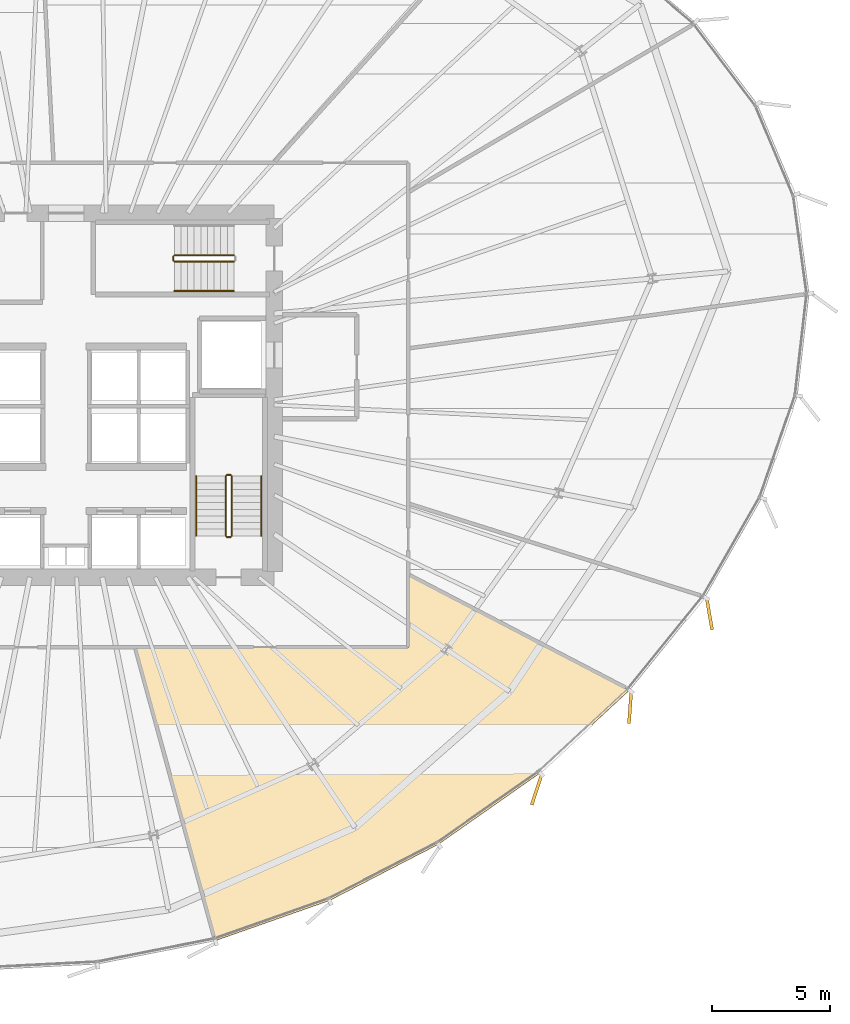
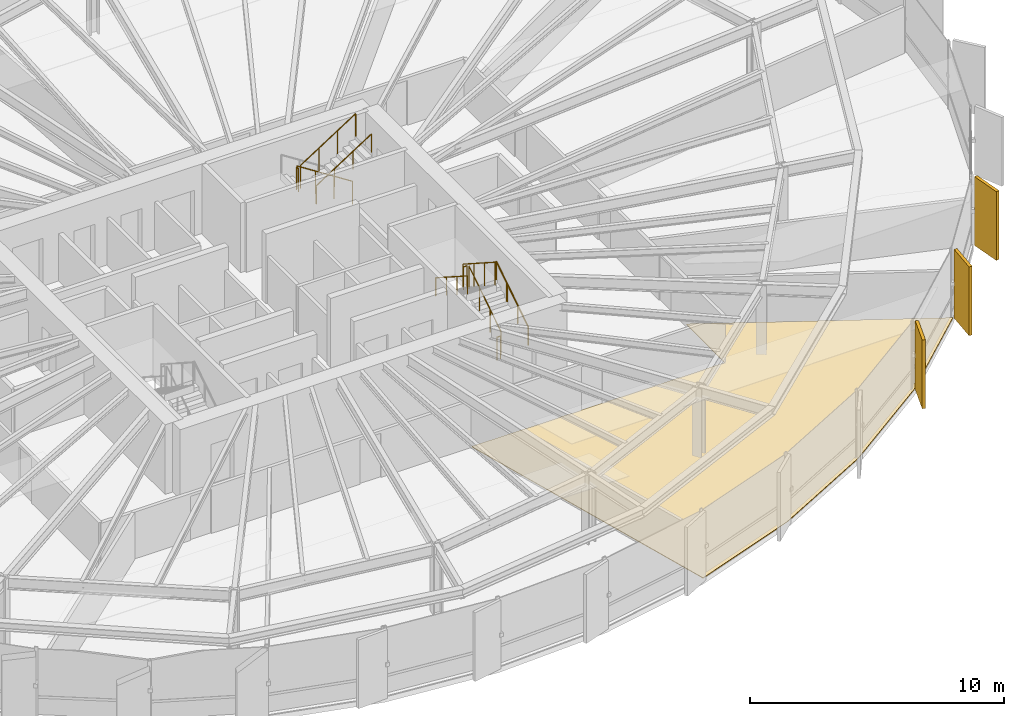
# One storey, part 33 of 35: 10 railings, 4 coverings.
"""IFC4 building model written with IfcOpenShell, lengths in metres."""

from ifc_helpers import new_model, si_unit, direction, frame, origin, origin_2d, place, context, subcontext, project, spatial, polyline, rectangle, circle, outline, extrude, source, transform, mapped, material, layer, layer_set, type_object, element, save


model = new_model("IFC4")

# Units and contexts
model_context = context("Model", 3, precision=1e-05, world=origin(), true_north=direction((0.0, 1.0)))
body_context = subcontext(model_context, "Body", "Model", "MODEL_VIEW")
ifc_project = project(units=[si_unit("LENGTHUNIT", "METRE"), si_unit("AREAUNIT", "SQUARE_METRE"), si_unit("VOLUMEUNIT", "CUBIC_METRE"), si_unit("PLANEANGLEUNIT", "RADIAN"), si_unit("MASSUNIT", "GRAM", prefix="KILO"), si_unit("THERMODYNAMICTEMPERATUREUNIT", "KELVIN")], contexts=[model_context])

# Site, building, storey
site_placement = place(None, origin())
site = spatial("IfcSite", under=ifc_project, at=site_placement, CompositionType="ELEMENT")
building_placement = place(site_placement, origin())
building = spatial("IfcBuilding", under=site, at=building_placement, Name="Kethvar Cultural Tower", CompositionType="ELEMENT")
storey_placement = place(building_placement, frame((0.0, 0.0, 96.39990234375)))
storey = spatial("IfcBuildingStorey", under=building, at=storey_placement, Name="L23", CompositionType="ELEMENT", Elevation=96.39990234375)

# Covering
ifc_material_1 = material(Name="Honed Warm Limestone", Category="masonry")
ifc_layer_1 = layer(ifc_material_1, 0.030029296875, Name="Honed Warm Limestone", Category="masonry")
ifc_layer_set_1 = layer_set([ifc_layer_1], Name="Honed Warm Limestone (30 mm)")
covering_type_1 = type_object("IfcCoveringType", Name="CV-STONE-FLOOR", PredefinedType="FLOORING", material=ifc_layer_set_1)
covering_placement = place(storey_placement, origin())
element("IfcCovering", 1, at=covering_placement, inside=storey, type_object=covering_type_1, Name="L23 Room 03 Floor Finish", PredefinedType="FLOORING", context=body_context, shape_type="SweptSolid", body=[
    extrude(outline(polyline([(66.822265625, 11.799072265625), (62.546630859375, 8.8017578125), (57.93994140625, 6.422119140625), (53.131591796875, 4.731201171875), (49.742431640625, 17.1201171875), (61.27587890625, 17.120849609375), (61.2900390625, 20.185302734375), (70.608642578125, 15.302490234375), (66.822265625, 11.799072265625)])), origin(), (0.0, 0.0, 1.0), 0.030029296875),
])

# Railings
ifc_material_2 = material(Name="Steel S355J2", Category="steel")
railing_type_1 = type_object("IfcRailingType", Name="RL-STAIR-GUARD", PredefinedType="BALUSTRADE", material=ifc_material_2)
railing_1_placement = place(storey_placement, frame((53.81005859375, 21.85009765625, 0.18017578125)))
element("IfcRailing", 2, at=railing_1_placement, inside=storey, type_object=railing_type_1, Name="L23 ST-02 stair guard 1", PredefinedType="BALUSTRADE", context=body_context, shape_type="SweptSolid", body=[
    extrude(circle(Radius=0.02392578125, at=origin_2d()), frame((0.0, 0.0, 1.09619140625), z_axis=(0.0, 0.841199657755, 0.540724639528), x_axis=(-1.0, 0.0, 0.0)), (0.0, 0.0, 1.0), 2.995849609375),
    extrude(circle(Radius=0.02099609375, at=origin_2d()), origin(), (0.0, 0.0, 1.0), 1.072021484375),
    extrude(circle(Radius=0.02099609375, at=origin_2d()), frame((0.0, 0.840087890625, 0.5400390625)), (0.0, 0.0, 1.0), 1.072021484375),
    extrude(circle(Radius=0.02099609375, at=origin_2d()), frame((0.0, 1.679931640625, 1.079833984375)), (0.0, 0.0, 1.0), 1.072021484375),
    extrude(circle(Radius=0.02099609375, at=origin_2d()), frame((0.0, 2.52001953125, 1.619873046875)), (0.0, 0.0, 1.0), 1.072021484375),
])
railing_2_placement = place(storey_placement, frame((53.760009765625, 24.419921875, 1.800048828125)))
element("IfcRailing", 3, at=railing_2_placement, inside=storey, type_object=railing_type_1, Name="L23 ST-02 stair guard 2", PredefinedType="BALUSTRADE", context=body_context, shape_type="SweptSolid", body=[
    extrude(circle(Radius=0.02392578125, at=origin_2d()), frame((0.0, 0.0, 1.09619140625), z_axis=(-1.0, 0.0, 0.0), x_axis=(0.0, -1.0, 0.0)), (0.0, 0.0, 1.0), 0.159912109375),
    extrude(circle(Radius=0.02099609375, at=origin_2d()), origin(), (0.0, 0.0, 1.0), 1.072021484375),
    extrude(circle(Radius=0.02099609375, at=origin_2d()), frame((-0.159912109375, 0.0, 0.0)), (0.0, 0.0, 1.0), 1.072021484375),
])
railing_3_placement = place(storey_placement, frame((53.550048828125, 24.3701171875, 1.97998046875)))
element("IfcRailing", 4, at=railing_3_placement, inside=storey, type_object=railing_type_1, Name="L23 ST-02 stair guard 3", PredefinedType="BALUSTRADE", context=body_context, shape_type="SweptSolid", body=[
    extrude(circle(Radius=0.02392578125, at=origin_2d()), frame((0.0, 0.0, 1.09619140625), z_axis=(0.0, -0.841162588446, 0.540782303519), x_axis=(1.0, 0.0, 0.0)), (0.0, 0.0, 1.0), 2.995849609375),
    extrude(circle(Radius=0.02099609375, at=origin_2d()), origin(), (0.0, 0.0, 1.0), 1.072021484375),
    extrude(circle(Radius=0.02099609375, at=origin_2d()), frame((0.0, -0.840087890625, 0.5400390625)), (0.0, 0.0, 1.0), 1.072021484375),
    extrude(circle(Radius=0.02099609375, at=origin_2d()), frame((0.0, -1.679931640625, 1.080078125)), (0.0, 0.0, 1.0), 1.072021484375),
    extrude(circle(Radius=0.02099609375, at=origin_2d()), frame((0.0, -2.52001953125, 1.6201171875)), (0.0, 0.0, 1.0), 1.072021484375),
])
railing_4_placement = place(storey_placement, frame((53.760009765625, 21.800048828125, 0.0)))
element("IfcRailing", 5, at=railing_4_placement, inside=storey, type_object=railing_type_1, Name="L23 ST-02 stair guard 4", PredefinedType="BALUSTRADE", context=body_context, shape_type="SweptSolid", body=[
    extrude(circle(Radius=0.02392578125, at=origin_2d()), frame((0.0, 0.0, 1.09619140625), z_axis=(-1.0, 0.0, 0.0), x_axis=(0.0, -1.0, 0.0)), (0.0, 0.0, 1.0), 0.159912109375),
    extrude(circle(Radius=0.02099609375, at=origin_2d()), origin(), (0.0, 0.0, 1.0), 1.072021484375),
    extrude(circle(Radius=0.02099609375, at=origin_2d()), frame((-0.159912109375, 0.0, 0.0)), (0.0, 0.0, 1.0), 1.072021484375),
])
railing_5_placement = place(storey_placement, frame((53.89990234375, 33.7099609375, 0.18017578125)))
element("IfcRailing", 6, at=railing_5_placement, inside=storey, type_object=railing_type_1, Name="L23 ST-03 stair guard 1", PredefinedType="BALUSTRADE", context=body_context, shape_type="SweptSolid", body=[
    extrude(circle(Radius=0.02392578125, at=origin_2d()), frame((0.0, 0.0, 1.09619140625), z_axis=(-0.841199657755, 0.0, 0.540724639528), x_axis=(0.0, -1.0, 0.0)), (0.0, 0.0, 1.0), 2.995849609375),
    extrude(circle(Radius=0.02099609375, at=origin_2d()), origin(), (0.0, 0.0, 1.0), 1.072021484375),
    extrude(circle(Radius=0.02099609375, at=origin_2d()), frame((-0.840087890625, 0.0, 0.5400390625)), (0.0, 0.0, 1.0), 1.072021484375),
    extrude(circle(Radius=0.02099609375, at=origin_2d()), frame((-1.679931640625, 0.0, 1.079833984375)), (0.0, 0.0, 1.0), 1.072021484375),
    extrude(circle(Radius=0.02099609375, at=origin_2d()), frame((-2.52001953125, 0.0, 1.619873046875)), (0.0, 0.0, 1.0), 1.072021484375),
])
railing_6_placement = place(storey_placement, frame((51.330078125, 33.659912109375, 1.800048828125)))
element("IfcRailing", 7, at=railing_6_placement, inside=storey, type_object=railing_type_1, Name="L23 ST-03 stair guard 2", PredefinedType="BALUSTRADE", context=body_context, shape_type="SweptSolid", body=[
    extrude(circle(Radius=0.02392578125, at=origin_2d()), frame((0.0, 0.0, 1.09619140625), z_axis=(0.0, -1.0, 0.0), x_axis=(1.0, 0.0, 0.0)), (0.0, 0.0, 1.0), 0.159912109375),
    extrude(circle(Radius=0.02099609375, at=origin_2d()), origin(), (0.0, 0.0, 1.0), 1.072021484375),
    extrude(circle(Radius=0.02099609375, at=origin_2d()), frame((0.0, -0.159912109375, 0.0)), (0.0, 0.0, 1.0), 1.072021484375),
])
railing_7_placement = place(storey_placement, frame((51.3798828125, 33.449951171875, 1.97998046875)))
element("IfcRailing", 8, at=railing_7_placement, inside=storey, type_object=railing_type_1, Name="L23 ST-03 stair guard 3", PredefinedType="BALUSTRADE", context=body_context, shape_type="SweptSolid", body=[
    extrude(circle(Radius=0.02392578125, at=origin_2d()), frame((0.0, 0.0, 1.09619140625), z_axis=(0.841162588446, 0.0, 0.540782303519), x_axis=(0.0, 1.0, 0.0)), (0.0, 0.0, 1.0), 2.995849609375),
    extrude(circle(Radius=0.02099609375, at=origin_2d()), origin(), (0.0, 0.0, 1.0), 1.072021484375),
    extrude(circle(Radius=0.02099609375, at=origin_2d()), frame((0.840087890625, 0.0, 0.5400390625)), (0.0, 0.0, 1.0), 1.072021484375),
    extrude(circle(Radius=0.02099609375, at=origin_2d()), frame((1.679931640625, 0.0, 1.080078125)), (0.0, 0.0, 1.0), 1.072021484375),
    extrude(circle(Radius=0.02099609375, at=origin_2d()), frame((2.52001953125, 0.0, 1.6201171875)), (0.0, 0.0, 1.0), 1.072021484375),
])
railing_type_2 = type_object("IfcRailingType", Name="RL-STAIR-HANDRAIL", PredefinedType="HANDRAIL", material=ifc_material_2)
railing_8_placement = place(storey_placement, frame((55.06005859375, 21.85009765625, 0.18017578125)))
element("IfcRailing", 9, at=railing_8_placement, inside=storey, type_object=railing_type_2, Name="L23 ST-02 stair handrail 1", PredefinedType="HANDRAIL", context=body_context, shape_type="SweptSolid", body=[
    extrude(circle(Radius=0.02392578125, at=origin_2d()), frame((0.0, 0.0, 0.8759765625), z_axis=(0.0, 0.841199657755, 0.540724639528), x_axis=(-1.0, 0.0, 0.0)), (0.0, 0.0, 1.0), 2.995849609375),
    extrude(circle(Radius=0.02099609375, at=origin_2d()), origin(), (0.0, 0.0, 1.0), 0.851806640625),
    extrude(circle(Radius=0.02099609375, at=origin_2d()), frame((0.0, 0.840087890625, 0.5400390625)), (0.0, 0.0, 1.0), 0.851806640625),
    extrude(circle(Radius=0.02099609375, at=origin_2d()), frame((0.0, 1.679931640625, 1.079833984375)), (0.0, 0.0, 1.0), 0.851806640625),
    extrude(circle(Radius=0.02099609375, at=origin_2d()), frame((0.0, 2.52001953125, 1.619873046875)), (0.0, 0.0, 1.0), 0.851806640625),
])
railing_9_placement = place(storey_placement, frame((52.300048828125, 24.3701171875, 1.97998046875)))
element("IfcRailing", 10, at=railing_9_placement, inside=storey, type_object=railing_type_2, Name="L23 ST-02 stair handrail 2", PredefinedType="HANDRAIL", context=body_context, shape_type="SweptSolid", body=[
    extrude(circle(Radius=0.02392578125, at=origin_2d()), frame((0.0, 0.0, 0.8759765625), z_axis=(0.0, -0.841162588446, 0.540782303519), x_axis=(1.0, 0.0, 0.0)), (0.0, 0.0, 1.0), 2.995849609375),
    extrude(circle(Radius=0.02099609375, at=origin_2d()), origin(), (0.0, 0.0, 1.0), 0.851806640625),
    extrude(circle(Radius=0.02099609375, at=origin_2d()), frame((0.0, -0.840087890625, 0.5400390625)), (0.0, 0.0, 1.0), 0.851806640625),
    extrude(circle(Radius=0.02099609375, at=origin_2d()), frame((0.0, -1.679931640625, 1.080078125)), (0.0, 0.0, 1.0), 0.851806640625),
    extrude(circle(Radius=0.02099609375, at=origin_2d()), frame((0.0, -2.52001953125, 1.6201171875)), (0.0, 0.0, 1.0), 0.851806640625),
])
railing_10_placement = place(storey_placement, frame((51.3798828125, 32.199951171875, 1.97998046875)))
element("IfcRailing", 11, at=railing_10_placement, inside=storey, type_object=railing_type_2, Name="L23 ST-03 stair handrail 2", PredefinedType="HANDRAIL", context=body_context, shape_type="SweptSolid", body=[
    extrude(circle(Radius=0.02392578125, at=origin_2d()), frame((0.0, 0.0, 0.8759765625), z_axis=(0.841162588446, 0.0, 0.540782303519), x_axis=(0.0, 1.0, 0.0)), (0.0, 0.0, 1.0), 2.995849609375),
    extrude(circle(Radius=0.02099609375, at=origin_2d()), origin(), (0.0, 0.0, 1.0), 0.851806640625),
    extrude(circle(Radius=0.02099609375, at=origin_2d()), frame((0.840087890625, 0.0, 0.5400390625)), (0.0, 0.0, 1.0), 0.851806640625),
    extrude(circle(Radius=0.02099609375, at=origin_2d()), frame((1.679931640625, 0.0, 1.080078125)), (0.0, 0.0, 1.0), 0.851806640625),
    extrude(circle(Radius=0.02099609375, at=origin_2d()), frame((2.52001953125, 0.0, 1.6201171875)), (0.0, 0.0, 1.0), 0.851806640625),
])

# Coverings
ifc_material_3 = material(Name="Extruded Architectural Terracotta", Category="masonry")
ifc_layer_2 = layer(ifc_material_3, 0.135009765625, Name="Extruded Architectural Terracotta", Category="masonry")
ifc_layer_set_2 = layer_set([ifc_layer_2], Name="Extruded Architectural Terracotta (135 mm)")
covering_type_2 = type_object("IfcCoveringType", Name="Terracotta Facade Fin FIN-02", PredefinedType="CLADDING", material=ifc_layer_set_2)
shared_shape = source(origin(), body_context, "Body", "SweptSolid", [
    extrude(rectangle(XDim=1.35009765625, YDim=0.135009765625, at=origin_2d()), origin(), (0.0, 0.0, 1.0), 3.31005859375),
])
for number, where, z_axis, x_axis, name in (
    (12, (66.70703125, 11.110107421875, 0.02001953125), (0.0, 0.0, 1.0), (-0.312334918512, -0.949972051525, 0.0), "L23 Vertical Terracotta Fin 6.1"),
    (13, (70.6572265625, 14.58349609375, 0.02001953125), (0.0, 0.0, 1.0), (-0.071149267469, -0.997465679479, 0.0), "L23 Vertical Terracotta Fin 6.2"),
    (14, (74.012451171875, 18.533203125, 0.02001953125), (0.0, 0.0, 1.0), (0.168661414708, -0.985674047132, 0.0), "L23 Vertical Terracotta Fin 6.3"),
):
    element("IfcCovering", number, at=place(storey_placement, frame(where, z_axis=z_axis, x_axis=x_axis)), inside=storey, type_object=covering_type_2, Name=name, PredefinedType="CLADDING", context=body_context, shape_type="MappedRepresentation", body=[
        mapped(shared_shape, transform((0.0, 0.0, 0.0), scale=1.0)),
    ])

save(model, "model.ifc")
